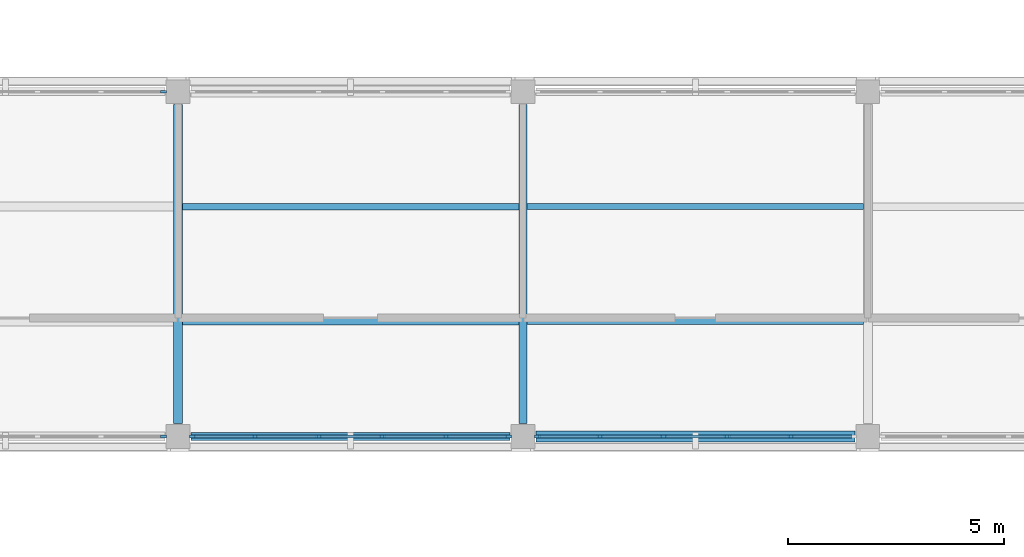
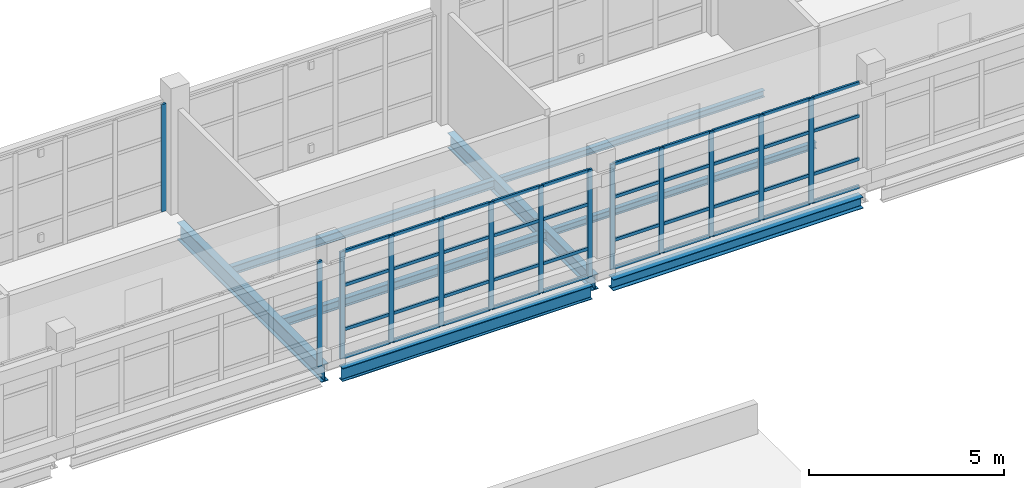
# One storey, part 14 of 107: 53 members, 8 beams, 4 elements without a shape of their own.
"""IFC4 building model written with IfcOpenShell, lengths in metres."""

from ifc_helpers import new_model, si_unit, derived_unit, direction, frame, origin, origin_2d, place, context, subcontext, project, spatial, rectangle, i_section, extrude, material, layer, layer_set, material_profile, profile_set, type_object, element, aggregate, save


model = new_model("IFC4")

# Units and contexts
model_context = context("Model", 3, precision=1e-05, world=origin(), true_north=direction((0.0, 1.0)))
body_context = subcontext(model_context, "Body", "Model", "MODEL_VIEW")
ifc_project = project(units=[si_unit("LENGTHUNIT", "METRE"), si_unit("AREAUNIT", "SQUARE_METRE"), si_unit("VOLUMEUNIT", "CUBIC_METRE"), si_unit("PLANEANGLEUNIT", "RADIAN"), si_unit("MASSUNIT", "GRAM", prefix="KILO"), derived_unit("THERMALTRANSMITTANCEUNIT", [(si_unit("MASSUNIT", "GRAM", prefix="KILO"), 1), (si_unit("TIMEUNIT", "SECOND"), -3), (si_unit("THERMODYNAMICTEMPERATUREUNIT", "KELVIN"), -1)])], contexts=[model_context])

# Site, building, storey
site_placement = place(None, origin())
site = spatial("IfcSite", under=ifc_project, at=site_placement, CompositionType="ELEMENT")
building_placement = place(site_placement, origin())
building = spatial("IfcBuilding", under=site, at=building_placement, Name="Veyamyaing Civic Hall", CompositionType="ELEMENT")
storey_placement = place(building_placement, frame((0.0, 0.0, 13.860107421875)))
storey = spatial("IfcBuildingStorey", under=building, at=storey_placement, Name="L03", CompositionType="ELEMENT", Elevation=13.860107421875)

# Beams
ifc_material_1 = material(Name="Steel ASTM A992", Category="steel")
ifc_material_profile_1 = material_profile(ifc_material_1, i_section(OverallWidth=0.2109375, OverallDepth=0.5390625, WebThickness=0.01171875, FlangeThickness=0.018798828125, FilletRadius=0.011962890625, at=origin_2d()), Name="W530X109")
ifc_profile_set_1 = profile_set([ifc_material_profile_1], Name="Steel ASTM A992")
beam_type_1 = type_object("IfcBeamType", Name="B-17", PredefinedType="BEAM", material=ifc_profile_set_1)
beam_1_placement = place(storey_placement, frame((32.0, 48.300048828125, -0.524658203125), z_axis=(0.0, 1.0, 0.0), x_axis=(-1.0, 0.0, 0.0)))
element("IfcBeam", 1, at=beam_1_placement, inside=storey, type_object=beam_type_1, Name="Girder B-17 L03 Grid 5 G-H", PredefinedType="BEAM", context=body_context, shape_type="SweptSolid", body=[
    extrude(i_section(OverallWidth=0.2109375, OverallDepth=0.5390625, WebThickness=0.01171875, FlangeThickness=0.018798828125, FilletRadius=0.011962890625, at=origin_2d()), origin(), (0.0, 0.0, 1.0), 7.39990234375),
])
ifc_material_profile_2 = material_profile(ifc_material_1, i_section(OverallWidth=0.194091796875, OverallDepth=0.468994140625, WebThickness=0.0126953125, FlangeThickness=0.0205078125, FilletRadius=0.010009765625, at=origin_2d()), Name="W460X106")
ifc_profile_set_2 = profile_set([ifc_material_profile_2], Name="Steel ASTM A992")
beam_type_2 = type_object("IfcBeamType", Name="B-18", PredefinedType="BEAM", material=ifc_profile_set_2)
beam_2_placement = place(storey_placement, frame((40.0, 48.300048828125, -0.489501953125), z_axis=(0.0, 1.0, 0.0), x_axis=(-1.0, 0.0, 0.0)))
element("IfcBeam", 2, at=beam_2_placement, inside=storey, type_object=beam_type_2, Name="Girder B-18 L03 Grid 6 G-H", PredefinedType="BEAM", context=body_context, shape_type="SweptSolid", body=[
    extrude(i_section(OverallWidth=0.194091796875, OverallDepth=0.468994140625, WebThickness=0.0126953125, FlangeThickness=0.0205078125, FilletRadius=0.010009765625, at=origin_2d()), origin(), (0.0, 0.0, 1.0), 7.39990234375),
])
ifc_material_profile_3 = material_profile(ifc_material_1, i_section(OverallWidth=0.180908203125, OverallDepth=0.4169921875, WebThickness=0.010986328125, FlangeThickness=0.018310546875, FilletRadius=0.010009765625, at=origin_2d()), Name="W410X85")
ifc_profile_set_3 = profile_set([ifc_material_profile_3], Name="Steel ASTM A992")
beam_type_3 = type_object("IfcBeamType", Name="B-19", PredefinedType="SPANDREL", material=ifc_profile_set_3)
beam_3_placement = place(storey_placement, frame((32.300048828125, 48.0, -0.463623046875), z_axis=(1.0, 0.0, 0.0), x_axis=(0.0, 1.0, 0.0)))
element("IfcBeam", 3, at=beam_3_placement, inside=storey, type_object=beam_type_3, Name="Girder B-19 L03 Grid G 5-6", PredefinedType="SPANDREL", context=body_context, shape_type="SweptSolid", body=[
    extrude(i_section(OverallWidth=0.180908203125, OverallDepth=0.4169921875, WebThickness=0.010986328125, FlangeThickness=0.018310546875, FilletRadius=0.010009765625, at=origin_2d()), origin(), (0.0, 0.0, 1.0), 7.39990234375),
])
ifc_material_profile_4 = material_profile(ifc_material_1, i_section(OverallWidth=0.25390625, OverallDepth=0.35302734375, WebThickness=0.009521484375, FlangeThickness=0.016357421875, FilletRadius=0.011962890625, at=origin_2d()), Name="W360X91")
ifc_profile_set_4 = profile_set([ifc_material_profile_4], Name="Steel ASTM A992")
beam_type_4 = type_object("IfcBeamType", Name="B-20", PredefinedType="SPANDREL", material=ifc_profile_set_4)
beam_4_placement = place(storey_placement, frame((40.300048828125, 48.0, -0.431640625), z_axis=(1.0, 0.0, 0.0), x_axis=(0.0, 1.0, 0.0)))
element("IfcBeam", 4, at=beam_4_placement, inside=storey, type_object=beam_type_4, Name="Girder B-20 L03 Grid G 6-7", PredefinedType="SPANDREL", context=body_context, shape_type="SweptSolid", body=[
    extrude(i_section(OverallWidth=0.25390625, OverallDepth=0.35302734375, WebThickness=0.009521484375, FlangeThickness=0.016357421875, FilletRadius=0.011962890625, at=origin_2d()), origin(), (0.0, 0.0, 1.0), 7.39990234375),
])

# Curtain wall, member
ifc_material_2 = material(Name="Anodised aluminium 6063-T6", Category="aluminium")
ifc_layer = layer(ifc_material_2, 0.139892578125, Name="Anodised aluminium 6063-T6")
ifc_layer_set = layer_set([ifc_layer], Name="Anodised aluminium 6063-T6")
curtain_wall_type = type_object("IfcCurtainWallType", Name="CW-04", PredefinedType="NOTDEFINED", material=ifc_layer_set)
curtain_wall_1_placement = place(storey_placement, origin())
curtain_wall_1 = element("IfcCurtainWall", 5, at=curtain_wall_1_placement, inside=storey, type_object=curtain_wall_type, Name="Unitized curtain wall CW-04 L03 S 4.7", PredefinedType="NOTDEFINED")
ifc_material_profile_5 = material_profile(ifc_material_2, rectangle(XDim=0.06005859375, YDim=0.139892578125, at=origin_2d()), Name="ALU-MUL-60X140")
ifc_profile_set_5 = profile_set([ifc_material_profile_5], Name="Anodised aluminium 6063-T6")
member_type_1 = type_object("IfcMemberType", Name="CWM-03", PredefinedType="MULLION", material=ifc_profile_set_5)
member_1_placement = place(storey_placement, frame((31.6650390625, 48.0, 0.0), z_axis=(0.0, 0.0, 1.0), x_axis=(0.0, 1.0, 0.0)))
member_1 = element("IfcMember", 6, at=member_1_placement, type_object=member_type_1, Name="CW-04 mullion 6", PredefinedType="MULLION", context=body_context, shape_type="SweptSolid", body=[
    extrude(rectangle(XDim=0.06005859375, YDim=0.139892578125, at=origin_2d()), origin(), (0.0, 0.0, 1.0), 3.2998046875),
])
aggregate(curtain_wall_1, [member_1])

curtain_wall_2_placement = place(storey_placement, origin())
curtain_wall_2 = element("IfcCurtainWall", 7, at=curtain_wall_2_placement, inside=storey, type_object=curtain_wall_type, Name="Unitized curtain wall CW-04 L03 N 4.7", PredefinedType="NOTDEFINED")
member_2_placement = place(storey_placement, frame((31.6650390625, 56.0, 0.0), z_axis=(0.0, 0.0, 1.0), x_axis=(0.0, 1.0, 0.0)))
member_2 = element("IfcMember", 8, at=member_2_placement, type_object=member_type_1, Name="CW-04 mullion 6", PredefinedType="MULLION", context=body_context, shape_type="SweptSolid", body=[
    extrude(rectangle(XDim=0.06005859375, YDim=0.139892578125, at=origin_2d()), origin(), (0.0, 0.0, 1.0), 3.364013671875),
])
aggregate(curtain_wall_2, [member_2])

# Curtain wall, members
curtain_wall_3_placement = place(storey_placement, origin())
curtain_wall_3 = element("IfcCurtainWall", 9, at=curtain_wall_3_placement, inside=storey, type_object=curtain_wall_type, Name="Unitized curtain wall CW-04 L03 S 5.7", PredefinedType="NOTDEFINED")
member_3_placement = place(storey_placement, frame((32.3349609375, 48.0, 0.0), z_axis=(0.0, 0.0, 1.0), x_axis=(0.0, 1.0, 0.0)))
member_3 = element("IfcMember", 10, at=member_3_placement, type_object=member_type_1, Name="CW-04 mullion 1", PredefinedType="MULLION", context=body_context, shape_type="SweptSolid", body=[
    extrude(rectangle(XDim=0.06005859375, YDim=0.139892578125, at=origin_2d()), origin(), (0.0, 0.0, 1.0), 3.364013671875),
])
member_4_placement = place(storey_placement, frame((33.782958984375, 48.0, 0.0), z_axis=(0.0, 0.0, 1.0), x_axis=(0.0, 1.0, 0.0)))
member_4 = element("IfcMember", 11, at=member_4_placement, type_object=member_type_1, Name="CW-04 mullion 2", PredefinedType="MULLION", context=body_context, shape_type="SweptSolid", body=[
    extrude(rectangle(XDim=0.06005859375, YDim=0.139892578125, at=origin_2d()), origin(), (0.0, 0.0, 1.0), 3.364013671875),
])
member_5_placement = place(storey_placement, frame((35.260986328125, 48.0, 0.0), z_axis=(0.0, 0.0, 1.0), x_axis=(0.0, 1.0, 0.0)))
member_5 = element("IfcMember", 12, at=member_5_placement, type_object=member_type_1, Name="CW-04 mullion 3", PredefinedType="MULLION", context=body_context, shape_type="SweptSolid", body=[
    extrude(rectangle(XDim=0.06005859375, YDim=0.139892578125, at=origin_2d()), origin(), (0.0, 0.0, 1.0), 3.364013671875),
])
member_6_placement = place(storey_placement, frame((36.739013671875, 48.0, 0.0), z_axis=(0.0, 0.0, 1.0), x_axis=(0.0, 1.0, 0.0)))
member_6 = element("IfcMember", 13, at=member_6_placement, type_object=member_type_1, Name="CW-04 mullion 4", PredefinedType="MULLION", context=body_context, shape_type="SweptSolid", body=[
    extrude(rectangle(XDim=0.06005859375, YDim=0.139892578125, at=origin_2d()), origin(), (0.0, 0.0, 1.0), 3.364013671875),
])
member_7_placement = place(storey_placement, frame((38.217041015625, 48.0, 0.0), z_axis=(0.0, 0.0, 1.0), x_axis=(0.0, 1.0, 0.0)))
member_7 = element("IfcMember", 14, at=member_7_placement, type_object=member_type_1, Name="CW-04 mullion 5", PredefinedType="MULLION", context=body_context, shape_type="SweptSolid", body=[
    extrude(rectangle(XDim=0.06005859375, YDim=0.139892578125, at=origin_2d()), origin(), (0.0, 0.0, 1.0), 3.364013671875),
])
member_8_placement = place(storey_placement, frame((39.6650390625, 48.0, 0.0), z_axis=(0.0, 0.0, 1.0), x_axis=(0.0, 1.0, 0.0)))
member_8 = element("IfcMember", 15, at=member_8_placement, type_object=member_type_1, Name="CW-04 mullion 6", PredefinedType="MULLION", context=body_context, shape_type="SweptSolid", body=[
    extrude(rectangle(XDim=0.06005859375, YDim=0.139892578125, at=origin_2d()), origin(), (0.0, 0.0, 1.0), 3.364013671875),
])

curtain_wall_4_placement = place(storey_placement, origin())
curtain_wall_4 = element("IfcCurtainWall", 16, at=curtain_wall_4_placement, inside=storey, type_object=curtain_wall_type, Name="Unitized curtain wall CW-04 L03 S 6.7", PredefinedType="NOTDEFINED")
member_9_placement = place(storey_placement, frame((40.3349609375, 48.0, 0.0), z_axis=(0.0, 0.0, 1.0), x_axis=(0.0, 1.0, 0.0)))
member_9 = element("IfcMember", 17, at=member_9_placement, type_object=member_type_1, Name="CW-04 mullion 1", PredefinedType="MULLION", context=body_context, shape_type="SweptSolid", body=[
    extrude(rectangle(XDim=0.06005859375, YDim=0.139892578125, at=origin_2d()), origin(), (0.0, 0.0, 1.0), 3.303955078125),
])
member_10_placement = place(storey_placement, frame((41.782958984375, 48.0, 0.0), z_axis=(0.0, 0.0, 1.0), x_axis=(0.0, 1.0, 0.0)))
member_10 = element("IfcMember", 18, at=member_10_placement, type_object=member_type_1, Name="CW-04 mullion 2", PredefinedType="MULLION", context=body_context, shape_type="SweptSolid", body=[
    extrude(rectangle(XDim=0.06005859375, YDim=0.139892578125, at=origin_2d()), origin(), (0.0, 0.0, 1.0), 3.303955078125),
])
member_11_placement = place(storey_placement, frame((43.260986328125, 48.0, 0.0), z_axis=(0.0, 0.0, 1.0), x_axis=(0.0, 1.0, 0.0)))
member_11 = element("IfcMember", 19, at=member_11_placement, type_object=member_type_1, Name="CW-04 mullion 3", PredefinedType="MULLION", context=body_context, shape_type="SweptSolid", body=[
    extrude(rectangle(XDim=0.06005859375, YDim=0.139892578125, at=origin_2d()), origin(), (0.0, 0.0, 1.0), 3.303955078125),
])
member_12_placement = place(storey_placement, frame((44.739013671875, 48.0, 0.0), z_axis=(0.0, 0.0, 1.0), x_axis=(0.0, 1.0, 0.0)))
member_12 = element("IfcMember", 20, at=member_12_placement, type_object=member_type_1, Name="CW-04 mullion 4", PredefinedType="MULLION", context=body_context, shape_type="SweptSolid", body=[
    extrude(rectangle(XDim=0.06005859375, YDim=0.139892578125, at=origin_2d()), origin(), (0.0, 0.0, 1.0), 3.303955078125),
])
member_13_placement = place(storey_placement, frame((46.217041015625, 48.0, 0.0), z_axis=(0.0, 0.0, 1.0), x_axis=(0.0, 1.0, 0.0)))
member_13 = element("IfcMember", 21, at=member_13_placement, type_object=member_type_1, Name="CW-04 mullion 5", PredefinedType="MULLION", context=body_context, shape_type="SweptSolid", body=[
    extrude(rectangle(XDim=0.06005859375, YDim=0.139892578125, at=origin_2d()), origin(), (0.0, 0.0, 1.0), 3.303955078125),
])

# Member
ifc_material_profile_6 = material_profile(ifc_material_2, rectangle(XDim=0.06005859375, YDim=0.10009765625, at=origin_2d()), Name="ALU-TRN-60X100")
ifc_profile_set_6 = profile_set([ifc_material_profile_6], Name="Anodised aluminium 6063-T6")
member_type_2 = type_object("IfcMemberType", Name="CWT-03", PredefinedType="USERDEFINED", material=ifc_profile_set_6)
member_14_placement = place(storey_placement, frame((32.364990234375, 48.0, 0.02978515625), z_axis=(1.0, 0.0, 0.0), x_axis=(0.0, 1.0, 0.0)))
member_14 = element("IfcMember", 22, at=member_14_placement, type_object=member_type_2, Name="CW-04 transom 1.1", ObjectType="TRANSOM", PredefinedType="USERDEFINED", context=body_context, shape_type="SweptSolid", body=[
    extrude(rectangle(XDim=0.06005859375, YDim=0.10009765625, at=origin_2d()), origin(), (0.0, 0.0, 1.0), 1.387939453125),
])

member_15_placement = place(storey_placement, frame((32.364990234375, 48.0, 0.89990234375), z_axis=(1.0, 0.0, 0.0), x_axis=(0.0, 1.0, 0.0)))
member_15 = element("IfcMember", 23, at=member_15_placement, type_object=member_type_2, Name="CW-04 transom 1.2", ObjectType="TRANSOM", PredefinedType="USERDEFINED", context=body_context, shape_type="SweptSolid", body=[
    extrude(rectangle(XDim=0.06005859375, YDim=0.10009765625, at=origin_2d()), origin(), (0.0, 0.0, 1.0), 1.387939453125),
])

member_16_placement = place(storey_placement, frame((32.364990234375, 48.0, 2.287353515625), z_axis=(1.0, 0.0, 0.0), x_axis=(0.0, 1.0, 0.0)))
member_16 = element("IfcMember", 24, at=member_16_placement, type_object=member_type_2, Name="CW-04 transom 1.3", ObjectType="TRANSOM", PredefinedType="USERDEFINED", context=body_context, shape_type="SweptSolid", body=[
    extrude(rectangle(XDim=0.06005859375, YDim=0.10009765625, at=origin_2d()), origin(), (0.0, 0.0, 1.0), 1.387939453125),
])

member_17_placement = place(storey_placement, frame((32.364990234375, 48.0, 3.333984375), z_axis=(1.0, 0.0, 0.0), x_axis=(0.0, 1.0, 0.0)))
member_17 = element("IfcMember", 25, at=member_17_placement, type_object=member_type_2, Name="CW-04 transom 1.4", ObjectType="TRANSOM", PredefinedType="USERDEFINED", context=body_context, shape_type="SweptSolid", body=[
    extrude(rectangle(XDim=0.06005859375, YDim=0.10009765625, at=origin_2d()), origin(), (0.0, 0.0, 1.0), 1.387939453125),
])

member_18_placement = place(storey_placement, frame((33.81298828125, 48.0, 0.02978515625), z_axis=(1.0, 0.0, 0.0), x_axis=(0.0, 1.0, 0.0)))
member_18 = element("IfcMember", 26, at=member_18_placement, type_object=member_type_2, Name="CW-04 transom 2.1", ObjectType="TRANSOM", PredefinedType="USERDEFINED", context=body_context, shape_type="SweptSolid", body=[
    extrude(rectangle(XDim=0.06005859375, YDim=0.10009765625, at=origin_2d()), origin(), (0.0, 0.0, 1.0), 1.41796875),
])

member_19_placement = place(storey_placement, frame((33.81298828125, 48.0, 0.89990234375), z_axis=(1.0, 0.0, 0.0), x_axis=(0.0, 1.0, 0.0)))
member_19 = element("IfcMember", 27, at=member_19_placement, type_object=member_type_2, Name="CW-04 transom 2.2", ObjectType="TRANSOM", PredefinedType="USERDEFINED", context=body_context, shape_type="SweptSolid", body=[
    extrude(rectangle(XDim=0.06005859375, YDim=0.10009765625, at=origin_2d()), origin(), (0.0, 0.0, 1.0), 1.41796875),
])

member_20_placement = place(storey_placement, frame((33.81298828125, 48.0, 2.287353515625), z_axis=(1.0, 0.0, 0.0), x_axis=(0.0, 1.0, 0.0)))
member_20 = element("IfcMember", 28, at=member_20_placement, type_object=member_type_2, Name="CW-04 transom 2.3", ObjectType="TRANSOM", PredefinedType="USERDEFINED", context=body_context, shape_type="SweptSolid", body=[
    extrude(rectangle(XDim=0.06005859375, YDim=0.10009765625, at=origin_2d()), origin(), (0.0, 0.0, 1.0), 1.41796875),
])

member_21_placement = place(storey_placement, frame((33.81298828125, 48.0, 3.333984375), z_axis=(1.0, 0.0, 0.0), x_axis=(0.0, 1.0, 0.0)))
member_21 = element("IfcMember", 29, at=member_21_placement, type_object=member_type_2, Name="CW-04 transom 2.4", ObjectType="TRANSOM", PredefinedType="USERDEFINED", context=body_context, shape_type="SweptSolid", body=[
    extrude(rectangle(XDim=0.06005859375, YDim=0.10009765625, at=origin_2d()), origin(), (0.0, 0.0, 1.0), 1.41796875),
])

member_22_placement = place(storey_placement, frame((35.291015625, 48.0, 0.02978515625), z_axis=(1.0, 0.0, 0.0), x_axis=(0.0, 1.0, 0.0)))
member_22 = element("IfcMember", 30, at=member_22_placement, type_object=member_type_2, Name="CW-04 transom 3.1", ObjectType="TRANSOM", PredefinedType="USERDEFINED", context=body_context, shape_type="SweptSolid", body=[
    extrude(rectangle(XDim=0.06005859375, YDim=0.10009765625, at=origin_2d()), origin(), (0.0, 0.0, 1.0), 1.41796875),
])

member_23_placement = place(storey_placement, frame((35.291015625, 48.0, 0.89990234375), z_axis=(1.0, 0.0, 0.0), x_axis=(0.0, 1.0, 0.0)))
member_23 = element("IfcMember", 31, at=member_23_placement, type_object=member_type_2, Name="CW-04 transom 3.2", ObjectType="TRANSOM", PredefinedType="USERDEFINED", context=body_context, shape_type="SweptSolid", body=[
    extrude(rectangle(XDim=0.06005859375, YDim=0.10009765625, at=origin_2d()), origin(), (0.0, 0.0, 1.0), 1.41796875),
])

member_24_placement = place(storey_placement, frame((35.291015625, 48.0, 2.287353515625), z_axis=(1.0, 0.0, 0.0), x_axis=(0.0, 1.0, 0.0)))
member_24 = element("IfcMember", 32, at=member_24_placement, type_object=member_type_2, Name="CW-04 transom 3.3", ObjectType="TRANSOM", PredefinedType="USERDEFINED", context=body_context, shape_type="SweptSolid", body=[
    extrude(rectangle(XDim=0.06005859375, YDim=0.10009765625, at=origin_2d()), origin(), (0.0, 0.0, 1.0), 1.41796875),
])

member_25_placement = place(storey_placement, frame((35.291015625, 48.0, 3.333984375), z_axis=(1.0, 0.0, 0.0), x_axis=(0.0, 1.0, 0.0)))
member_25 = element("IfcMember", 33, at=member_25_placement, type_object=member_type_2, Name="CW-04 transom 3.4", ObjectType="TRANSOM", PredefinedType="USERDEFINED", context=body_context, shape_type="SweptSolid", body=[
    extrude(rectangle(XDim=0.06005859375, YDim=0.10009765625, at=origin_2d()), origin(), (0.0, 0.0, 1.0), 1.41796875),
])

member_26_placement = place(storey_placement, frame((36.76904296875, 48.0, 0.02978515625), z_axis=(1.0, 0.0, 0.0), x_axis=(0.0, 1.0, 0.0)))
member_26 = element("IfcMember", 34, at=member_26_placement, type_object=member_type_2, Name="CW-04 transom 4.1", ObjectType="TRANSOM", PredefinedType="USERDEFINED", context=body_context, shape_type="SweptSolid", body=[
    extrude(rectangle(XDim=0.06005859375, YDim=0.10009765625, at=origin_2d()), origin(), (0.0, 0.0, 1.0), 1.41796875),
])

member_27_placement = place(storey_placement, frame((36.76904296875, 48.0, 0.89990234375), z_axis=(1.0, 0.0, 0.0), x_axis=(0.0, 1.0, 0.0)))
member_27 = element("IfcMember", 35, at=member_27_placement, type_object=member_type_2, Name="CW-04 transom 4.2", ObjectType="TRANSOM", PredefinedType="USERDEFINED", context=body_context, shape_type="SweptSolid", body=[
    extrude(rectangle(XDim=0.06005859375, YDim=0.10009765625, at=origin_2d()), origin(), (0.0, 0.0, 1.0), 1.41796875),
])

member_28_placement = place(storey_placement, frame((36.76904296875, 48.0, 2.287353515625), z_axis=(1.0, 0.0, 0.0), x_axis=(0.0, 1.0, 0.0)))
member_28 = element("IfcMember", 36, at=member_28_placement, type_object=member_type_2, Name="CW-04 transom 4.3", ObjectType="TRANSOM", PredefinedType="USERDEFINED", context=body_context, shape_type="SweptSolid", body=[
    extrude(rectangle(XDim=0.06005859375, YDim=0.10009765625, at=origin_2d()), origin(), (0.0, 0.0, 1.0), 1.41796875),
])

member_29_placement = place(storey_placement, frame((36.76904296875, 48.0, 3.333984375), z_axis=(1.0, 0.0, 0.0), x_axis=(0.0, 1.0, 0.0)))
member_29 = element("IfcMember", 37, at=member_29_placement, type_object=member_type_2, Name="CW-04 transom 4.4", ObjectType="TRANSOM", PredefinedType="USERDEFINED", context=body_context, shape_type="SweptSolid", body=[
    extrude(rectangle(XDim=0.06005859375, YDim=0.10009765625, at=origin_2d()), origin(), (0.0, 0.0, 1.0), 1.41796875),
])

member_30_placement = place(storey_placement, frame((38.2470703125, 48.0, 0.02978515625), z_axis=(1.0, 0.0, 0.0), x_axis=(0.0, 1.0, 0.0)))
member_30 = element("IfcMember", 38, at=member_30_placement, type_object=member_type_2, Name="CW-04 transom 5.1", ObjectType="TRANSOM", PredefinedType="USERDEFINED", context=body_context, shape_type="SweptSolid", body=[
    extrude(rectangle(XDim=0.06005859375, YDim=0.10009765625, at=origin_2d()), origin(), (0.0, 0.0, 1.0), 1.387939453125),
])

member_31_placement = place(storey_placement, frame((38.2470703125, 48.0, 0.89990234375), z_axis=(1.0, 0.0, 0.0), x_axis=(0.0, 1.0, 0.0)))
member_31 = element("IfcMember", 39, at=member_31_placement, type_object=member_type_2, Name="CW-04 transom 5.2", ObjectType="TRANSOM", PredefinedType="USERDEFINED", context=body_context, shape_type="SweptSolid", body=[
    extrude(rectangle(XDim=0.06005859375, YDim=0.10009765625, at=origin_2d()), origin(), (0.0, 0.0, 1.0), 1.387939453125),
])

member_32_placement = place(storey_placement, frame((38.2470703125, 48.0, 2.287353515625), z_axis=(1.0, 0.0, 0.0), x_axis=(0.0, 1.0, 0.0)))
member_32 = element("IfcMember", 40, at=member_32_placement, type_object=member_type_2, Name="CW-04 transom 5.3", ObjectType="TRANSOM", PredefinedType="USERDEFINED", context=body_context, shape_type="SweptSolid", body=[
    extrude(rectangle(XDim=0.06005859375, YDim=0.10009765625, at=origin_2d()), origin(), (0.0, 0.0, 1.0), 1.387939453125),
])

member_33_placement = place(storey_placement, frame((38.2470703125, 48.0, 3.333984375), z_axis=(1.0, 0.0, 0.0), x_axis=(0.0, 1.0, 0.0)))
member_33 = element("IfcMember", 41, at=member_33_placement, type_object=member_type_2, Name="CW-04 transom 5.4", ObjectType="TRANSOM", PredefinedType="USERDEFINED", context=body_context, shape_type="SweptSolid", body=[
    extrude(rectangle(XDim=0.06005859375, YDim=0.10009765625, at=origin_2d()), origin(), (0.0, 0.0, 1.0), 1.387939453125),
])

aggregate(curtain_wall_3, [member_3, member_4, member_5, member_6, member_7, member_8, member_14, member_15, member_16, member_17, member_18, member_19, member_20, member_21, member_22, member_23, member_24, member_25, member_26, member_27, member_28, member_29, member_30, member_31, member_32, member_33])

member_34_placement = place(storey_placement, frame((40.364990234375, 48.0, 0.02978515625), z_axis=(1.0, 0.0, 0.0), x_axis=(0.0, 1.0, 0.0)))
member_34 = element("IfcMember", 42, at=member_34_placement, type_object=member_type_2, Name="CW-04 transom 1.1", ObjectType="TRANSOM", PredefinedType="USERDEFINED", context=body_context, shape_type="SweptSolid", body=[
    extrude(rectangle(XDim=0.06005859375, YDim=0.10009765625, at=origin_2d()), origin(), (0.0, 0.0, 1.0), 1.387939453125),
])

member_35_placement = place(storey_placement, frame((40.364990234375, 48.0, 0.89990234375), z_axis=(1.0, 0.0, 0.0), x_axis=(0.0, 1.0, 0.0)))
member_35 = element("IfcMember", 43, at=member_35_placement, type_object=member_type_2, Name="CW-04 transom 1.2", ObjectType="TRANSOM", PredefinedType="USERDEFINED", context=body_context, shape_type="SweptSolid", body=[
    extrude(rectangle(XDim=0.06005859375, YDim=0.10009765625, at=origin_2d()), origin(), (0.0, 0.0, 1.0), 1.387939453125),
])

member_36_placement = place(storey_placement, frame((40.364990234375, 48.0, 2.24658203125), z_axis=(1.0, 0.0, 0.0), x_axis=(0.0, 1.0, 0.0)))
member_36 = element("IfcMember", 44, at=member_36_placement, type_object=member_type_2, Name="CW-04 transom 1.3", ObjectType="TRANSOM", PredefinedType="USERDEFINED", context=body_context, shape_type="SweptSolid", body=[
    extrude(rectangle(XDim=0.06005859375, YDim=0.10009765625, at=origin_2d()), origin(), (0.0, 0.0, 1.0), 1.387939453125),
])

member_37_placement = place(storey_placement, frame((40.364990234375, 48.0, 3.27392578125), z_axis=(1.0, 0.0, 0.0), x_axis=(0.0, 1.0, 0.0)))
member_37 = element("IfcMember", 45, at=member_37_placement, type_object=member_type_2, Name="CW-04 transom 1.4", ObjectType="TRANSOM", PredefinedType="USERDEFINED", context=body_context, shape_type="SweptSolid", body=[
    extrude(rectangle(XDim=0.06005859375, YDim=0.10009765625, at=origin_2d()), origin(), (0.0, 0.0, 1.0), 1.387939453125),
])

member_38_placement = place(storey_placement, frame((41.81298828125, 48.0, 0.02978515625), z_axis=(1.0, 0.0, 0.0), x_axis=(0.0, 1.0, 0.0)))
member_38 = element("IfcMember", 46, at=member_38_placement, type_object=member_type_2, Name="CW-04 transom 2.1", ObjectType="TRANSOM", PredefinedType="USERDEFINED", context=body_context, shape_type="SweptSolid", body=[
    extrude(rectangle(XDim=0.06005859375, YDim=0.10009765625, at=origin_2d()), origin(), (0.0, 0.0, 1.0), 1.41796875),
])

member_39_placement = place(storey_placement, frame((41.81298828125, 48.0, 0.89990234375), z_axis=(1.0, 0.0, 0.0), x_axis=(0.0, 1.0, 0.0)))
member_39 = element("IfcMember", 47, at=member_39_placement, type_object=member_type_2, Name="CW-04 transom 2.2", ObjectType="TRANSOM", PredefinedType="USERDEFINED", context=body_context, shape_type="SweptSolid", body=[
    extrude(rectangle(XDim=0.06005859375, YDim=0.10009765625, at=origin_2d()), origin(), (0.0, 0.0, 1.0), 1.41796875),
])

member_40_placement = place(storey_placement, frame((41.81298828125, 48.0, 2.24658203125), z_axis=(1.0, 0.0, 0.0), x_axis=(0.0, 1.0, 0.0)))
member_40 = element("IfcMember", 48, at=member_40_placement, type_object=member_type_2, Name="CW-04 transom 2.3", ObjectType="TRANSOM", PredefinedType="USERDEFINED", context=body_context, shape_type="SweptSolid", body=[
    extrude(rectangle(XDim=0.06005859375, YDim=0.10009765625, at=origin_2d()), origin(), (0.0, 0.0, 1.0), 1.41796875),
])

member_41_placement = place(storey_placement, frame((41.81298828125, 48.0, 3.27392578125), z_axis=(1.0, 0.0, 0.0), x_axis=(0.0, 1.0, 0.0)))
member_41 = element("IfcMember", 49, at=member_41_placement, type_object=member_type_2, Name="CW-04 transom 2.4", ObjectType="TRANSOM", PredefinedType="USERDEFINED", context=body_context, shape_type="SweptSolid", body=[
    extrude(rectangle(XDim=0.06005859375, YDim=0.10009765625, at=origin_2d()), origin(), (0.0, 0.0, 1.0), 1.41796875),
])

member_42_placement = place(storey_placement, frame((43.291015625, 48.0, 0.02978515625), z_axis=(1.0, 0.0, 0.0), x_axis=(0.0, 1.0, 0.0)))
member_42 = element("IfcMember", 50, at=member_42_placement, type_object=member_type_2, Name="CW-04 transom 3.1", ObjectType="TRANSOM", PredefinedType="USERDEFINED", context=body_context, shape_type="SweptSolid", body=[
    extrude(rectangle(XDim=0.06005859375, YDim=0.10009765625, at=origin_2d()), origin(), (0.0, 0.0, 1.0), 1.41796875),
])

member_43_placement = place(storey_placement, frame((43.291015625, 48.0, 0.89990234375), z_axis=(1.0, 0.0, 0.0), x_axis=(0.0, 1.0, 0.0)))
member_43 = element("IfcMember", 51, at=member_43_placement, type_object=member_type_2, Name="CW-04 transom 3.2", ObjectType="TRANSOM", PredefinedType="USERDEFINED", context=body_context, shape_type="SweptSolid", body=[
    extrude(rectangle(XDim=0.06005859375, YDim=0.10009765625, at=origin_2d()), origin(), (0.0, 0.0, 1.0), 1.41796875),
])

member_44_placement = place(storey_placement, frame((43.291015625, 48.0, 2.24658203125), z_axis=(1.0, 0.0, 0.0), x_axis=(0.0, 1.0, 0.0)))
member_44 = element("IfcMember", 52, at=member_44_placement, type_object=member_type_2, Name="CW-04 transom 3.3", ObjectType="TRANSOM", PredefinedType="USERDEFINED", context=body_context, shape_type="SweptSolid", body=[
    extrude(rectangle(XDim=0.06005859375, YDim=0.10009765625, at=origin_2d()), origin(), (0.0, 0.0, 1.0), 1.41796875),
])

member_45_placement = place(storey_placement, frame((43.291015625, 48.0, 3.27392578125), z_axis=(1.0, 0.0, 0.0), x_axis=(0.0, 1.0, 0.0)))
member_45 = element("IfcMember", 53, at=member_45_placement, type_object=member_type_2, Name="CW-04 transom 3.4", ObjectType="TRANSOM", PredefinedType="USERDEFINED", context=body_context, shape_type="SweptSolid", body=[
    extrude(rectangle(XDim=0.06005859375, YDim=0.10009765625, at=origin_2d()), origin(), (0.0, 0.0, 1.0), 1.41796875),
])

member_46_placement = place(storey_placement, frame((44.76904296875, 48.0, 0.02978515625), z_axis=(1.0, 0.0, 0.0), x_axis=(0.0, 1.0, 0.0)))
member_46 = element("IfcMember", 54, at=member_46_placement, type_object=member_type_2, Name="CW-04 transom 4.1", ObjectType="TRANSOM", PredefinedType="USERDEFINED", context=body_context, shape_type="SweptSolid", body=[
    extrude(rectangle(XDim=0.06005859375, YDim=0.10009765625, at=origin_2d()), origin(), (0.0, 0.0, 1.0), 1.41796875),
])

member_47_placement = place(storey_placement, frame((44.76904296875, 48.0, 0.89990234375), z_axis=(1.0, 0.0, 0.0), x_axis=(0.0, 1.0, 0.0)))
member_47 = element("IfcMember", 55, at=member_47_placement, type_object=member_type_2, Name="CW-04 transom 4.2", ObjectType="TRANSOM", PredefinedType="USERDEFINED", context=body_context, shape_type="SweptSolid", body=[
    extrude(rectangle(XDim=0.06005859375, YDim=0.10009765625, at=origin_2d()), origin(), (0.0, 0.0, 1.0), 1.41796875),
])

member_48_placement = place(storey_placement, frame((44.76904296875, 48.0, 2.24658203125), z_axis=(1.0, 0.0, 0.0), x_axis=(0.0, 1.0, 0.0)))
member_48 = element("IfcMember", 56, at=member_48_placement, type_object=member_type_2, Name="CW-04 transom 4.3", ObjectType="TRANSOM", PredefinedType="USERDEFINED", context=body_context, shape_type="SweptSolid", body=[
    extrude(rectangle(XDim=0.06005859375, YDim=0.10009765625, at=origin_2d()), origin(), (0.0, 0.0, 1.0), 1.41796875),
])

member_49_placement = place(storey_placement, frame((44.76904296875, 48.0, 3.27392578125), z_axis=(1.0, 0.0, 0.0), x_axis=(0.0, 1.0, 0.0)))
member_49 = element("IfcMember", 57, at=member_49_placement, type_object=member_type_2, Name="CW-04 transom 4.4", ObjectType="TRANSOM", PredefinedType="USERDEFINED", context=body_context, shape_type="SweptSolid", body=[
    extrude(rectangle(XDim=0.06005859375, YDim=0.10009765625, at=origin_2d()), origin(), (0.0, 0.0, 1.0), 1.41796875),
])

member_50_placement = place(storey_placement, frame((46.2470703125, 48.0, 0.02978515625), z_axis=(1.0, 0.0, 0.0), x_axis=(0.0, 1.0, 0.0)))
member_50 = element("IfcMember", 58, at=member_50_placement, type_object=member_type_2, Name="CW-04 transom 5.1", ObjectType="TRANSOM", PredefinedType="USERDEFINED", context=body_context, shape_type="SweptSolid", body=[
    extrude(rectangle(XDim=0.06005859375, YDim=0.10009765625, at=origin_2d()), origin(), (0.0, 0.0, 1.0), 1.387939453125),
])

member_51_placement = place(storey_placement, frame((46.2470703125, 48.0, 0.89990234375), z_axis=(1.0, 0.0, 0.0), x_axis=(0.0, 1.0, 0.0)))
member_51 = element("IfcMember", 59, at=member_51_placement, type_object=member_type_2, Name="CW-04 transom 5.2", ObjectType="TRANSOM", PredefinedType="USERDEFINED", context=body_context, shape_type="SweptSolid", body=[
    extrude(rectangle(XDim=0.06005859375, YDim=0.10009765625, at=origin_2d()), origin(), (0.0, 0.0, 1.0), 1.387939453125),
])

member_52_placement = place(storey_placement, frame((46.2470703125, 48.0, 2.24658203125), z_axis=(1.0, 0.0, 0.0), x_axis=(0.0, 1.0, 0.0)))
member_52 = element("IfcMember", 60, at=member_52_placement, type_object=member_type_2, Name="CW-04 transom 5.3", ObjectType="TRANSOM", PredefinedType="USERDEFINED", context=body_context, shape_type="SweptSolid", body=[
    extrude(rectangle(XDim=0.06005859375, YDim=0.10009765625, at=origin_2d()), origin(), (0.0, 0.0, 1.0), 1.387939453125),
])

member_53_placement = place(storey_placement, frame((46.2470703125, 48.0, 3.27392578125), z_axis=(1.0, 0.0, 0.0), x_axis=(0.0, 1.0, 0.0)))
member_53 = element("IfcMember", 61, at=member_53_placement, type_object=member_type_2, Name="CW-04 transom 5.4", ObjectType="TRANSOM", PredefinedType="USERDEFINED", context=body_context, shape_type="SweptSolid", body=[
    extrude(rectangle(XDim=0.06005859375, YDim=0.10009765625, at=origin_2d()), origin(), (0.0, 0.0, 1.0), 1.387939453125),
])

aggregate(curtain_wall_4, [member_9, member_10, member_11, member_12, member_13, member_34, member_35, member_36, member_37, member_38, member_39, member_40, member_41, member_42, member_43, member_44, member_45, member_46, member_47, member_48, member_49, member_50, member_51, member_52, member_53])

# Beams
ifc_material_profile_7 = material_profile(ifc_material_1, i_section(OverallWidth=0.14794921875, OverallDepth=0.26611328125, WebThickness=0.007568359375, FlangeThickness=0.012939453125, FilletRadius=0.010009765625, at=origin_2d()), Name="W250X45")
ifc_profile_set_7 = profile_set([ifc_material_profile_7], Name="Steel ASTM A992")
beam_type_5 = type_object("IfcBeamType", Name="J-07", PredefinedType="JOIST", material=ifc_profile_set_7)
for number, where, z_axis, x_axis, name in (
    (62, (32.103515625, 50.666748046875, -0.38818359375), (1.0, 0.0, 0.0), (0.0, 1.0, 0.0), "Composite floor joist J-07 L03 5.7.1"),
    (63, (32.103515625, 53.333251953125, -0.38818359375), (1.0, 0.0, 0.0), (0.0, 1.0, 0.0), "Composite floor joist J-07 L03 5.7.2"),
):
    element("IfcBeam", number, at=place(storey_placement, frame(where, z_axis=z_axis, x_axis=x_axis)), inside=storey, type_object=beam_type_5, Name=name, PredefinedType="JOIST", context=body_context, shape_type="SweptSolid", body=[
        extrude(i_section(OverallWidth=0.14794921875, OverallDepth=0.26611328125, WebThickness=0.007568359375, FlangeThickness=0.012939453125, FilletRadius=0.010009765625, at=origin_2d()), origin(), (0.0, 0.0, 1.0), 7.801513671875),
    ])
ifc_material_profile_8 = material_profile(ifc_material_1, i_section(OverallWidth=0.133056640625, OverallDepth=0.20703125, WebThickness=0.005859375, FlangeThickness=0.00830078125, FilletRadius=0.010009765625, at=origin_2d()), Name="W200X27")
ifc_profile_set_8 = profile_set([ifc_material_profile_8], Name="Steel ASTM A992")
beam_type_6 = type_object("IfcBeamType", Name="J-08", PredefinedType="JOIST", material=ifc_profile_set_8)
for number, where, z_axis, x_axis, name in (
    (64, (40.094970703125, 50.666748046875, -0.358642578125), (1.0, 0.0, 0.0), (0.0, 1.0, 0.0), "Composite floor joist J-08 L03 6.7.1"),
    (65, (40.094970703125, 53.333251953125, -0.358642578125), (1.0, 0.0, 0.0), (0.0, 1.0, 0.0), "Composite floor joist J-08 L03 6.7.2"),
):
    element("IfcBeam", number, at=place(storey_placement, frame(where, z_axis=z_axis, x_axis=x_axis)), inside=storey, type_object=beam_type_6, Name=name, PredefinedType="JOIST", context=body_context, shape_type="SweptSolid", body=[
        extrude(i_section(OverallWidth=0.133056640625, OverallDepth=0.20703125, WebThickness=0.005859375, FlangeThickness=0.00830078125, FilletRadius=0.010009765625, at=origin_2d()), origin(), (0.0, 0.0, 1.0), 7.802490234375),
    ])

save(model, "model.ifc")
